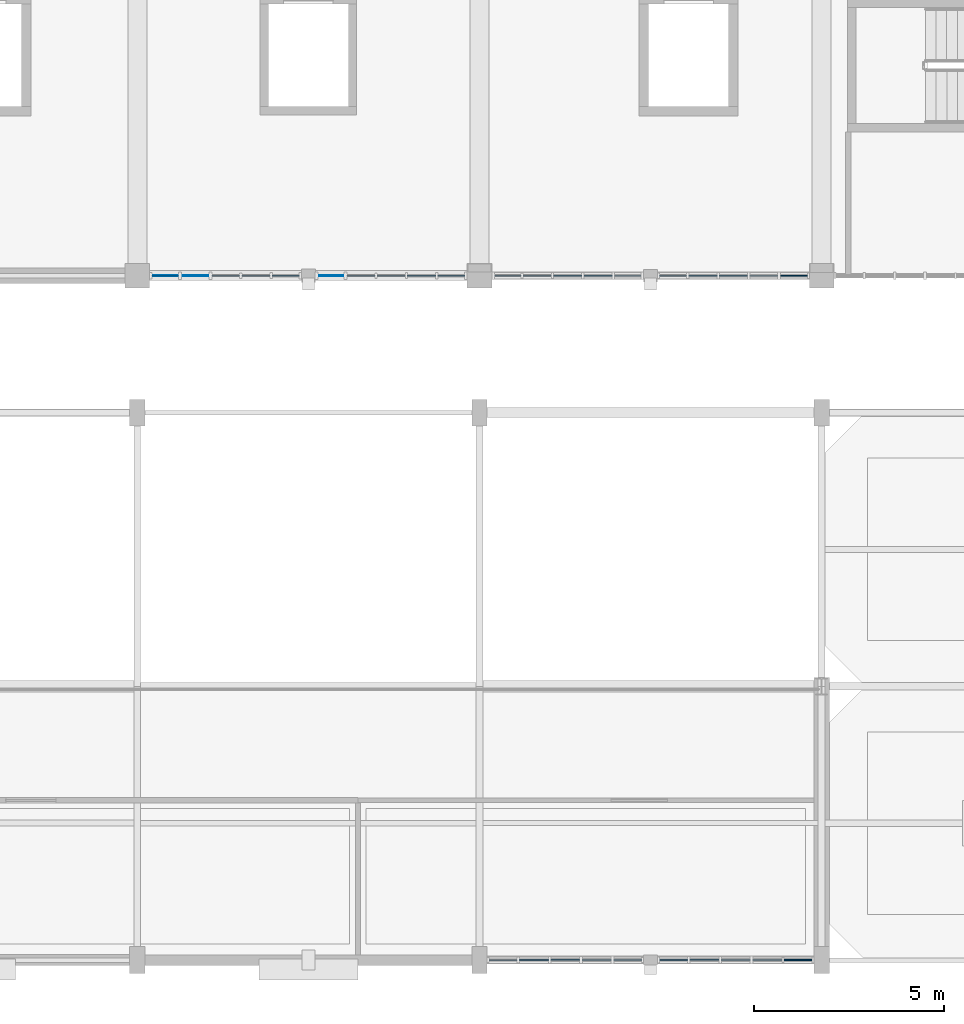
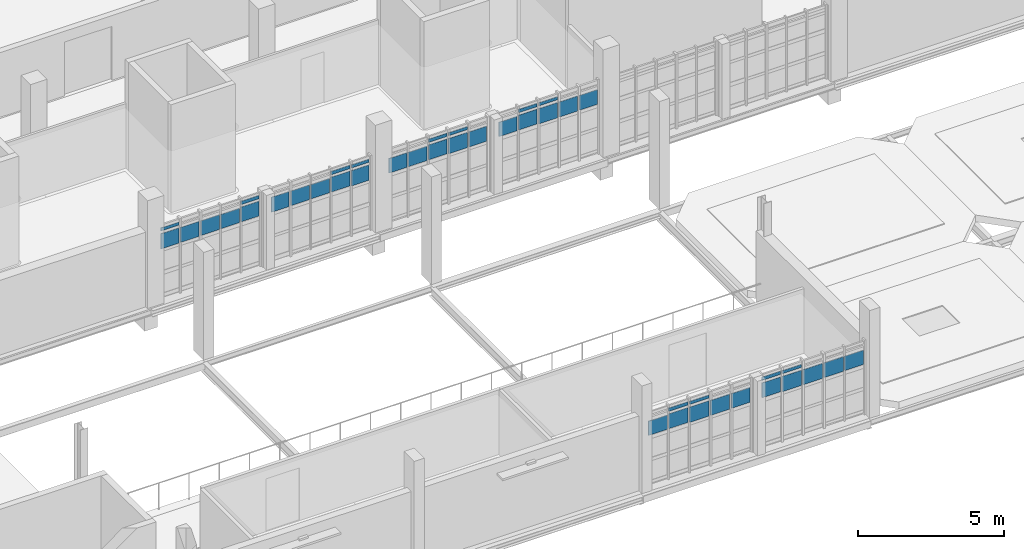
# One storey, part 96 of 125: 42 plates, 6 elements without a shape of their own.
"""IFC4 building model written with IfcOpenShell, lengths in metres."""

import ifcopenshell
import ifcopenshell.guid

model = None  # the IFC model being written
_history = None  # IfcOwnerHistory: only IFC2X3 demands one
_inside = {}  # id of a spatial element -> (the spatial element, [elements in it])
_under = {}  # id of a project, library or spatial element -> (it, [spatial elements below it])
_declared = {}  # id of a project -> (the project, [libraries it declares])
_typed = {}  # id of a type object -> (the type object, [elements of that type])
_made_of = {}  # id of a material, layer set ... -> (it, [elements and type objects made of it])


def new_model(schema):
    """Start an empty IFC model of exactly this schema.

    Asked for "IFC4X3", IfcOpenShell would pick the latest addendum, in which some entities
    have other attributes; the version numbers below select the first issue.
    IFC2X3 requires an IfcOwnerHistory on every rooted entity: one is made here for all.
    """
    global model, _history
    if schema == "IFC4X3":
        model = ifcopenshell.file(schema_version=(4, 3, 0, 0))
    else:
        model = ifcopenshell.file(schema=schema)
    _inside.clear()
    _under.clear()
    _declared.clear()
    _typed.clear()
    _made_of.clear()
    _history = None
    if model.schema == "IFC2X3":
        org = make("IfcOrganization", Name="unknown")
        user = make(
            "IfcPersonAndOrganization",
            ThePerson=make("IfcPerson", FamilyName="unknown"),
            TheOrganization=org,
        )
        app = make(
            "IfcApplication",
            ApplicationDeveloper=org,
            Version="unknown",
            ApplicationFullName="unknown",
            ApplicationIdentifier="unknown",
        )
        _history = make(
            "IfcOwnerHistory",
            OwningUser=user,
            OwningApplication=app,
            ChangeAction="ADDED",
            CreationDate=0,
        )
    return model


def make(cls, **values):
    """One entity of the class cls with the attributes given. An attribute that is None is left unset."""
    return model.create_entity(
        cls, **{name: value for name, value in values.items() if value is not None}
    )


def rooted(cls, **values):
    """An entity with a GlobalId (a new one), such as an element, a storey or a relation."""
    return make(cls, GlobalId=ifcopenshell.guid.new(), OwnerHistory=_history, **values)


def si_unit(unit_type, name, prefix=None):
    """IfcSIUnit, for example si_unit("LENGTHUNIT", "METRE", prefix="MILLI")."""
    return make("IfcSIUnit", UnitType=unit_type, Prefix=prefix, Name=name)


def assignment(units):
    """IfcUnitAssignment: the units of a project."""
    return None if units is None else make("IfcUnitAssignment", Units=units)


def point(xyz):
    """IfcCartesianPoint."""
    return None if xyz is None else make("IfcCartesianPoint", Coordinates=xyz)


def direction(xyz):
    """IfcDirection."""
    return None if xyz is None else make("IfcDirection", DirectionRatios=xyz)


def frame(location, z_axis=None, x_axis=None):
    """IfcAxis2Placement3D, a coordinate frame: its origin and axes. An axis left out is left unset."""
    return make(
        "IfcAxis2Placement3D",
        Location=point(location),
        Axis=direction(z_axis),
        RefDirection=direction(x_axis),
    )


def frame_2d(location, x_axis=None):
    """IfcAxis2Placement2D, a coordinate frame in the plane: its origin and x axis."""
    return make(
        "IfcAxis2Placement2D", Location=point(location), RefDirection=direction(x_axis)
    )


def origin():
    """The frame at (0, 0, 0) with its axes left unset."""
    return frame((0.0, 0.0, 0.0))


def origin_2d():
    """The frame at (0, 0) in the plane with its x axis left unset."""
    return frame_2d((0.0, 0.0))


def place(relative_to, where):
    """IfcLocalPlacement: puts the frame where relative to a parent placement (None: the world)."""
    return make(
        "IfcLocalPlacement", PlacementRelTo=relative_to, RelativePlacement=where
    )


def context(
    kind, dimensions, precision=None, world=None, true_north=None, identifier=None
):
    """IfcGeometricRepresentationContext, for example the 3D "Model" context."""
    return make(
        "IfcGeometricRepresentationContext",
        ContextIdentifier=identifier,
        ContextType=kind,
        CoordinateSpaceDimension=dimensions,
        Precision=precision,
        WorldCoordinateSystem=world,
        TrueNorth=true_north,
    )


def subcontext(parent, identifier, kind, view, scale=None):
    """IfcGeometricRepresentationSubContext, for example "Body" below "Model"."""
    return make(
        "IfcGeometricRepresentationSubContext",
        ContextIdentifier=identifier,
        ContextType=kind,
        ParentContext=parent,
        TargetScale=scale,
        TargetView=view,
    )


def project(units=None, contexts=None):
    """IfcProject with its units and contexts."""
    return rooted(
        "IfcProject",
        Name="project",
        RepresentationContexts=contexts,
        UnitsInContext=assignment(units),
    )


def spatial(cls, under=None, at=None, **own):
    """A site, building, storey or space (cls), placed at a placement, below another one or the project."""
    s = rooted(cls, ObjectPlacement=at, **own)
    if under is not None:
        _under.setdefault(under.id(), (under, []))[1].append(s)
    return s


def profile(cls, at=None, kind="AREA", **sizes):
    """A parametric profile (cls). Its sizes go by their IFC names, for example OverallWidth=200.0."""
    return make(cls, ProfileType=kind, Position=at, **sizes)


def rectangle(**sizes):
    """IfcRectangleProfileDef."""
    return profile("IfcRectangleProfileDef", **sizes)


def extrude(swept, where, along, depth):
    """IfcExtrudedAreaSolid: the profile swept, set in the frame where, extruded along a direction by depth."""
    return make(
        "IfcExtrudedAreaSolid",
        SweptArea=swept,
        Position=where,
        ExtrudedDirection=direction(along),
        Depth=depth,
    )


def shape(context_of_items, identifier, shape_type, items):
    """IfcShapeRepresentation: the items that make up one representation, for example the "Body"."""
    return make(
        "IfcShapeRepresentation",
        ContextOfItems=context_of_items,
        RepresentationIdentifier=identifier,
        RepresentationType=shape_type,
        Items=items,
    )


def material(Name=None, Category=None):
    """IfcMaterial."""
    return make("IfcMaterial", Name=Name, Category=Category)


def layer(
    of_material, thickness, ventilated=None, Name=None, Category=None, Priority=None
):
    """IfcMaterialLayer: one layer of a wall or slab, of a material (None: an air gap)."""
    return make(
        "IfcMaterialLayer",
        Material=of_material,
        LayerThickness=thickness,
        IsVentilated=ventilated,
        Name=Name,
        Category=Category,
        Priority=Priority,
    )


def layer_set(layers, Name=None):
    """IfcMaterialLayerSet."""
    return make("IfcMaterialLayerSet", MaterialLayers=layers, LayerSetName=Name)


def made_of(thing, what):
    """Note that an element or type object is made of a material, layer set ...; save() writes the relation."""
    if what is not None:
        _made_of.setdefault(what.id(), (what, []))[1].append(thing)
    return thing


def type_object(cls, material=None, **own):
    """A type object (cls), such as IfcWallType, which elements share."""
    return made_of(rooted(cls, **own), material)


def element(
    cls,
    number,
    at=None,
    inside=None,
    cuts=None,
    type_object=None,
    material=None,
    context=None,
    identifier="Body",
    shape_type=None,
    held_by="IfcProductDefinitionShape",
    body=None,
    shapes=None,
    **own,
):
    """One element of the class cls, such as IfcWall. Its Tag is "e" and its number.

    at: its placement. inside: the storey or other place that contains it. cuts: it is an
    opening in that element (IfcRelVoidsElement). A single representation is given by context,
    identifier, shape_type and body (its items); several are given by shapes. held_by: the class
    of the entity that holds the representations. save() writes the other relations.
    """
    e = rooted(cls, Tag="e%d" % number, ObjectPlacement=at, **own)
    if body is not None:
        shapes = [shape(context, identifier, shape_type, body)]
    if shapes is not None:
        e.Representation = make(held_by, Representations=shapes)
    if inside is not None:
        _inside.setdefault(inside.id(), (inside, []))[1].append(e)
    if cuts is not None:
        rooted(
            "IfcRelVoidsElement", RelatingBuildingElement=cuts, RelatedOpeningElement=e
        )
    if type_object is not None:
        _typed.setdefault(type_object.id(), (type_object, []))[1].append(e)
    return made_of(e, material)


def aggregate(whole, parts):
    """IfcRelAggregates: a whole, such as a stair, and the parts it consists of."""
    return rooted("IfcRelAggregates", RelatingObject=whole, RelatedObjects=parts)


def save(model, path):
    """Write the relations noted so far, then the file.

    IfcRelAggregates (storeys below a building ...), IfcRelContainedInSpatialStructure (elements
    in a storey), IfcRelDefinesByType, IfcRelAssociatesMaterial and IfcRelDeclares: one each for
    every whole, place, type object, material and project.
    """
    for whole, parts in _under.values():
        aggregate(whole, parts)
    for where, things in _inside.values():
        rooted(
            "IfcRelContainedInSpatialStructure",
            RelatedElements=things,
            RelatingStructure=where,
        )
    for kind, things in _typed.values():
        rooted("IfcRelDefinesByType", RelatedObjects=things, RelatingType=kind)
    for what, things in _made_of.values():
        rooted("IfcRelAssociatesMaterial", RelatedObjects=things, RelatingMaterial=what)
    for by, libraries in _declared.values():
        rooted("IfcRelDeclares", RelatingContext=by, RelatedDefinitions=libraries)
    model.write(path)


model = new_model("IFC4")

# Units and contexts
model_context = context("Model", 3, precision=1e-05, world=origin(), true_north=direction((0.0, 1.0)))
body_context = subcontext(model_context, "Body", "Model", "MODEL_VIEW")
ifc_project = project(units=[si_unit("LENGTHUNIT", "METRE"), si_unit("AREAUNIT", "SQUARE_METRE"), si_unit("VOLUMEUNIT", "CUBIC_METRE"), si_unit("PLANEANGLEUNIT", "RADIAN"), si_unit("MASSUNIT", "GRAM", prefix="KILO")], contexts=[model_context])

# Site, building, storey
site_placement = place(None, origin())
site = spatial("IfcSite", under=ifc_project, at=site_placement, CompositionType="ELEMENT")
building_placement = place(site_placement, origin())
building = spatial("IfcBuilding", under=site, at=building_placement, Name="Serraforn Aerial Cableway Station", CompositionType="ELEMENT")
storey_placement = place(building_placement, frame((0.0, 0.0, 4.5)))
storey = spatial("IfcBuildingStorey", under=building, at=storey_placement, Name="L01", CompositionType="ELEMENT", Elevation=4.5)

# Curtain wall, plates
ifc_material_1 = material(Name="Anodised bronze unitised curtain wall")
curtain_wall_type_1 = type_object("IfcCurtainWallType", Name="CW-SYS-21", PredefinedType="USERDEFINED", material=ifc_material_1)
curtain_wall_1_placement = place(storey_placement, origin())
curtain_wall_1 = element("IfcCurtainWall", 1, at=curtain_wall_1_placement, inside=storey, type_object=curtain_wall_type_1, Name="Unitised Curtain Wall CW-CV-L01-S3A", ObjectType="UNITISED CURTAIN WALL", PredefinedType="USERDEFINED")
ifc_material_2 = material(Name="Solar-control low-E double glazing", Category="glass")
ifc_layer_1 = layer(ifc_material_2, 0.02587890625)
ifc_layer_set_1 = layer_set([ifc_layer_1], Name="Solar-control low-E double glazing")
plate_type_1 = type_object("IfcPlateType", Name="CW-GLZ-1", PredefinedType="CURTAIN_PANEL", material=ifc_layer_set_1)
plate_1_placement = place(storey_placement, frame((46.337646484375, 18.0, 2.8037109375), z_axis=(0.0, 0.0, 1.0), x_axis=(1.0, 0.0, 0.0)))
plate_1 = element("IfcPlate", 2, at=plate_1_placement, type_object=plate_type_1, Name="Curtain Wall Panel CW-CV-L01-S3A-P1-4", PredefinedType="CURTAIN_PANEL", context=body_context, shape_type="SweptSolid", body=[
    extrude(rectangle(XDim=0.703369140625, YDim=0.02587890625, at=origin_2d()), origin(), (0.0, 0.0, 1.0), 0.126220703125),
])
plate_2_placement = place(storey_placement, frame((47.120849609375, 18.0, 2.0546875), z_axis=(0.0, 0.0, 1.0), x_axis=(1.0, 0.0, 0.0)))
plate_2 = element("IfcPlate", 3, at=plate_2_placement, type_object=plate_type_1, Name="Curtain Wall Panel CW-CV-L01-S3A-P2-3", PredefinedType="CURTAIN_PANEL", context=body_context, shape_type="SweptSolid", body=[
    extrude(rectangle(XDim=0.73095703125, YDim=0.02587890625, at=origin_2d()), origin(), (0.0, 0.0, 1.0), 0.625244140625),
])

# Curtain wall, plate
curtain_wall_type_2 = type_object("IfcCurtainWallType", Name="CW-SYS-22", PredefinedType="USERDEFINED", material=ifc_material_1)
curtain_wall_2_placement = place(storey_placement, origin())
curtain_wall_2 = element("IfcCurtainWall", 4, at=curtain_wall_2_placement, inside=storey, type_object=curtain_wall_type_2, Name="Unitised Curtain Wall CW-CV-L01-S3B", ObjectType="UNITISED CURTAIN WALL", PredefinedType="USERDEFINED")
plate_3_placement = place(storey_placement, frame((50.696044921875, 18.0, 2.0546875), z_axis=(0.0, 0.0, 1.0), x_axis=(1.0, 0.0, 0.0)))
plate_3 = element("IfcPlate", 5, at=plate_3_placement, type_object=plate_type_1, Name="Curtain Wall Panel CW-CV-L01-S3B-P1-3", PredefinedType="CURTAIN_PANEL", context=body_context, shape_type="SweptSolid", body=[
    extrude(rectangle(XDim=0.69580078125, YDim=0.02587890625, at=origin_2d()), origin(), (0.0, 0.0, 1.0), 0.625244140625),
])

curtain_wall_type_3 = type_object("IfcCurtainWallType", Name="CW-SYS-27", PredefinedType="USERDEFINED", material=ifc_material_1)
curtain_wall_3_placement = place(storey_placement, origin())
curtain_wall_3 = element("IfcCurtainWall", 6, at=curtain_wall_3_placement, inside=storey, type_object=curtain_wall_type_3, Name="Unitised Curtain Wall CW-CF-L01-S4A", ObjectType="UNITISED CURTAIN WALL", PredefinedType="USERDEFINED")
ifc_layer_2 = layer(ifc_material_2, 0.028076171875)
ifc_layer_set_2 = layer_set([ifc_layer_2], Name="Solar-control low-E double glazing")
plate_type_2 = type_object("IfcPlateType", Name="CW-GLZ-2", PredefinedType="CURTAIN_PANEL", material=ifc_layer_set_2)
plate_4_placement = place(storey_placement, frame((55.22265625, 0.0, 2.06982421875), z_axis=(0.0, 0.0, 1.0), x_axis=(1.0, 0.0, 0.0)))
plate_4 = element("IfcPlate", 7, at=plate_4_placement, type_object=plate_type_2, Name="Curtain Wall Panel CW-CF-L01-S4A-P1-3", PredefinedType="CURTAIN_PANEL", context=body_context, shape_type="SweptSolid", body=[
    extrude(rectangle(XDim=0.743408203125, YDim=0.028076171875, at=origin_2d()), origin(), (0.0, 0.0, 1.0), 0.59521484375),
])

# Plate
plate_5_placement = place(storey_placement, frame((47.926513671875, 18.0, 2.062255859375), z_axis=(0.0, 0.0, 1.0), x_axis=(1.0, 0.0, 0.0)))
plate_5 = element("IfcPlate", 8, at=plate_5_placement, type_object=plate_type_2, Name="Curtain Wall Panel CW-CV-L01-S3A-P3-3", PredefinedType="CURTAIN_PANEL", context=body_context, shape_type="SweptSolid", body=[
    extrude(rectangle(XDim=0.73828125, YDim=0.028076171875, at=origin_2d()), origin(), (0.0, 0.0, 1.0), 0.6103515625),
])

plate_6_placement = place(storey_placement, frame((51.484130859375, 18.0, 2.062255859375), z_axis=(0.0, 0.0, 1.0), x_axis=(1.0, 0.0, 0.0)))
plate_6 = element("IfcPlate", 9, at=plate_6_placement, type_object=plate_type_2, Name="Curtain Wall Panel CW-CV-L01-S3B-P2-3", PredefinedType="CURTAIN_PANEL", context=body_context, shape_type="SweptSolid", body=[
    extrude(rectangle(XDim=0.73828125, YDim=0.028076171875, at=origin_2d()), origin(), (0.0, 0.0, 1.0), 0.6103515625),
])

# Curtain wall, plate
curtain_wall_type_4 = type_object("IfcCurtainWallType", Name="CW-SYS-23", PredefinedType="USERDEFINED", material=ifc_material_1)
curtain_wall_4_placement = place(storey_placement, origin())
curtain_wall_4 = element("IfcCurtainWall", 10, at=curtain_wall_4_placement, inside=storey, type_object=curtain_wall_type_4, Name="Unitised Curtain Wall CW-CV-L01-S4A", ObjectType="UNITISED CURTAIN WALL", PredefinedType="USERDEFINED")
plate_7_placement = place(storey_placement, frame((55.346435546875, 18.0, 2.062255859375), z_axis=(0.0, 0.0, 1.0), x_axis=(1.0, 0.0, 0.0)))
plate_7 = element("IfcPlate", 11, at=plate_7_placement, type_object=plate_type_2, Name="Curtain Wall Panel CW-CV-L01-S4A-P1-3", PredefinedType="CURTAIN_PANEL", context=body_context, shape_type="SweptSolid", body=[
    extrude(rectangle(XDim=0.700927734375, YDim=0.028076171875, at=origin_2d()), origin(), (0.0, 0.0, 1.0), 0.6103515625),
])

# Plate
ifc_layer_3 = layer(ifc_material_2, 0.030029296875)
ifc_layer_set_3 = layer_set([ifc_layer_3], Name="Solar-control low-E double glazing")
plate_type_3 = type_object("IfcPlateType", Name="CW-GLZ-3", PredefinedType="CURTAIN_PANEL", material=ifc_layer_set_3)
plate_8_placement = place(storey_placement, frame((56.033203125, 0.0, 2.077392578125), z_axis=(0.0, 0.0, 1.0), x_axis=(1.0, 0.0, 0.0)))
plate_8 = element("IfcPlate", 12, at=plate_8_placement, type_object=plate_type_3, Name="Curtain Wall Panel CW-CF-L01-S4A-P2-3", PredefinedType="CURTAIN_PANEL", context=body_context, shape_type="SweptSolid", body=[
    extrude(rectangle(XDim=0.765869140625, YDim=0.030029296875, at=origin_2d()), origin(), (0.0, 0.0, 1.0), 0.615234375),
])

# Curtain wall, plate
curtain_wall_type_5 = type_object("IfcCurtainWallType", Name="CW-SYS-28", PredefinedType="USERDEFINED", material=ifc_material_1)
curtain_wall_5_placement = place(storey_placement, origin())
curtain_wall_5 = element("IfcCurtainWall", 13, at=curtain_wall_5_placement, inside=storey, type_object=curtain_wall_type_5, Name="Unitised Curtain Wall CW-CF-L01-S4B", ObjectType="UNITISED CURTAIN WALL", PredefinedType="USERDEFINED")
plate_9_placement = place(storey_placement, frame((59.7060546875, 0.0, 2.077392578125), z_axis=(0.0, 0.0, 1.0), x_axis=(1.0, 0.0, 0.0)))
plate_9 = element("IfcPlate", 14, at=plate_9_placement, type_object=plate_type_3, Name="Curtain Wall Panel CW-CF-L01-S4B-P1-3", PredefinedType="CURTAIN_PANEL", context=body_context, shape_type="SweptSolid", body=[
    extrude(rectangle(XDim=0.73583984375, YDim=0.030029296875, at=origin_2d()), origin(), (0.0, 0.0, 1.0), 0.615234375),
])

# Plate
plate_10_placement = place(storey_placement, frame((48.7197265625, 18.0, 2.06982421875), z_axis=(0.0, 0.0, 1.0), x_axis=(1.0, 0.0, 0.0)))
plate_10 = element("IfcPlate", 15, at=plate_10_placement, type_object=plate_type_3, Name="Curtain Wall Panel CW-CV-L01-S3A-P4-3", PredefinedType="CURTAIN_PANEL", context=body_context, shape_type="SweptSolid", body=[
    extrude(rectangle(XDim=0.745849609375, YDim=0.030029296875, at=origin_2d()), origin(), (0.0, 0.0, 1.0), 0.59521484375),
])

plate_11_placement = place(storey_placement, frame((52.27734375, 18.0, 2.06982421875), z_axis=(0.0, 0.0, 1.0), x_axis=(1.0, 0.0, 0.0)))
plate_11 = element("IfcPlate", 16, at=plate_11_placement, type_object=plate_type_3, Name="Curtain Wall Panel CW-CV-L01-S3B-P3-3", PredefinedType="CURTAIN_PANEL", context=body_context, shape_type="SweptSolid", body=[
    extrude(rectangle(XDim=0.745849609375, YDim=0.030029296875, at=origin_2d()), origin(), (0.0, 0.0, 1.0), 0.59521484375),
])

plate_12_placement = place(storey_placement, frame((56.120849609375, 18.0, 2.06982421875), z_axis=(0.0, 0.0, 1.0), x_axis=(1.0, 0.0, 0.0)))
plate_12 = element("IfcPlate", 17, at=plate_12_placement, type_object=plate_type_3, Name="Curtain Wall Panel CW-CV-L01-S4A-P2-3", PredefinedType="CURTAIN_PANEL", context=body_context, shape_type="SweptSolid", body=[
    extrude(rectangle(XDim=0.745849609375, YDim=0.030029296875, at=origin_2d()), origin(), (0.0, 0.0, 1.0), 0.59521484375),
])

# Curtain wall, plate
curtain_wall_type_6 = type_object("IfcCurtainWallType", Name="CW-SYS-24", PredefinedType="USERDEFINED", material=ifc_material_1)
curtain_wall_6_placement = place(storey_placement, origin())
curtain_wall_6 = element("IfcCurtainWall", 18, at=curtain_wall_6_placement, inside=storey, type_object=curtain_wall_type_6, Name="Unitised Curtain Wall CW-CV-L01-S4B", ObjectType="UNITISED CURTAIN WALL", PredefinedType="USERDEFINED")
plate_13_placement = place(storey_placement, frame((59.692138671875, 18.0, 2.06982421875), z_axis=(0.0, 0.0, 1.0), x_axis=(1.0, 0.0, 0.0)))
plate_13 = element("IfcPlate", 19, at=plate_13_placement, type_object=plate_type_3, Name="Curtain Wall Panel CW-CV-L01-S4B-P1-3", PredefinedType="CURTAIN_PANEL", context=body_context, shape_type="SweptSolid", body=[
    extrude(rectangle(XDim=0.718505859375, YDim=0.030029296875, at=origin_2d()), origin(), (0.0, 0.0, 1.0), 0.59521484375),
])

# Plate
ifc_layer_4 = layer(ifc_material_2, 0.031982421875)
ifc_layer_set_4 = layer_set([ifc_layer_4], Name="Solar-control low-E double glazing")
plate_type_4 = type_object("IfcPlateType", Name="CW-GLZ-4", PredefinedType="CURTAIN_PANEL", material=ifc_layer_set_4)
plate_14_placement = place(storey_placement, frame((56.033203125, 0.0, 2.798583984375), z_axis=(0.0, 0.0, 1.0), x_axis=(1.0, 0.0, 0.0)))
plate_14 = element("IfcPlate", 20, at=plate_14_placement, type_object=plate_type_4, Name="Curtain Wall Panel CW-CF-L01-S4A-P2-4", PredefinedType="CURTAIN_PANEL", context=body_context, shape_type="SweptSolid", body=[
    extrude(rectangle(XDim=0.765869140625, YDim=0.031982421875, at=origin_2d()), origin(), (0.0, 0.0, 1.0), 0.138671875),
])

plate_15_placement = place(storey_placement, frame((56.85791015625, 0.0, 2.0498046875), z_axis=(0.0, 0.0, 1.0), x_axis=(1.0, 0.0, 0.0)))
plate_15 = element("IfcPlate", 21, at=plate_15_placement, type_object=plate_type_4, Name="Curtain Wall Panel CW-CF-L01-S4A-P3-3", PredefinedType="CURTAIN_PANEL", context=body_context, shape_type="SweptSolid", body=[
    extrude(rectangle(XDim=0.760986328125, YDim=0.031982421875, at=origin_2d()), origin(), (0.0, 0.0, 1.0), 0.6376953125),
])

plate_16_placement = place(storey_placement, frame((59.7060546875, 0.0, 2.798583984375), z_axis=(0.0, 0.0, 1.0), x_axis=(1.0, 0.0, 0.0)))
plate_16 = element("IfcPlate", 22, at=plate_16_placement, type_object=plate_type_4, Name="Curtain Wall Panel CW-CF-L01-S4B-P1-4", PredefinedType="CURTAIN_PANEL", context=body_context, shape_type="SweptSolid", body=[
    extrude(rectangle(XDim=0.73583984375, YDim=0.031982421875, at=origin_2d()), origin(), (0.0, 0.0, 1.0), 0.138671875),
])

plate_17_placement = place(storey_placement, frame((60.515380859375, 0.0, 2.0498046875), z_axis=(0.0, 0.0, 1.0), x_axis=(1.0, 0.0, 0.0)))
plate_17 = element("IfcPlate", 23, at=plate_17_placement, type_object=plate_type_4, Name="Curtain Wall Panel CW-CF-L01-S4B-P2-3", PredefinedType="CURTAIN_PANEL", context=body_context, shape_type="SweptSolid", body=[
    extrude(rectangle(XDim=0.760986328125, YDim=0.031982421875, at=origin_2d()), origin(), (0.0, 0.0, 1.0), 0.6376953125),
])

plate_18_placement = place(storey_placement, frame((49.502685546875, 18.0, 2.077392578125), z_axis=(0.0, 0.0, 1.0), x_axis=(1.0, 0.0, 0.0)))
plate_18 = element("IfcPlate", 24, at=plate_18_placement, type_object=plate_type_4, Name="Curtain Wall Panel CW-CV-L01-S3A-P5-3", PredefinedType="CURTAIN_PANEL", context=body_context, shape_type="SweptSolid", body=[
    extrude(rectangle(XDim=0.70849609375, YDim=0.031982421875, at=origin_2d()), origin(), (0.0, 0.0, 1.0), 0.615234375),
])

plate_19_placement = place(storey_placement, frame((53.07666015625, 18.0, 2.077392578125), z_axis=(0.0, 0.0, 1.0), x_axis=(1.0, 0.0, 0.0)))
plate_19 = element("IfcPlate", 25, at=plate_19_placement, type_object=plate_type_4, Name="Curtain Wall Panel CW-CV-L01-S3B-P4-3", PredefinedType="CURTAIN_PANEL", context=body_context, shape_type="SweptSolid", body=[
    extrude(rectangle(XDim=0.740966796875, YDim=0.031982421875, at=origin_2d()), origin(), (0.0, 0.0, 1.0), 0.615234375),
])

plate_20_placement = place(storey_placement, frame((56.92041015625, 18.0, 2.077392578125), z_axis=(0.0, 0.0, 1.0), x_axis=(1.0, 0.0, 0.0)))
plate_20 = element("IfcPlate", 26, at=plate_20_placement, type_object=plate_type_4, Name="Curtain Wall Panel CW-CV-L01-S4A-P3-3", PredefinedType="CURTAIN_PANEL", context=body_context, shape_type="SweptSolid", body=[
    extrude(rectangle(XDim=0.740966796875, YDim=0.031982421875, at=origin_2d()), origin(), (0.0, 0.0, 1.0), 0.615234375),
])

plate_21_placement = place(storey_placement, frame((60.477783203125, 18.0, 2.077392578125), z_axis=(0.0, 0.0, 1.0), x_axis=(1.0, 0.0, 0.0)))
plate_21 = element("IfcPlate", 27, at=plate_21_placement, type_object=plate_type_4, Name="Curtain Wall Panel CW-CV-L01-S4B-P2-3", PredefinedType="CURTAIN_PANEL", context=body_context, shape_type="SweptSolid", body=[
    extrude(rectangle(XDim=0.740966796875, YDim=0.031982421875, at=origin_2d()), origin(), (0.0, 0.0, 1.0), 0.615234375),
])

ifc_layer_5 = layer(ifc_material_2, 0.033935546875)
ifc_layer_set_5 = layer_set([ifc_layer_5], Name="Solar-control low-E double glazing")
plate_type_5 = type_object("IfcPlateType", Name="CW-GLZ-5", PredefinedType="CURTAIN_PANEL", material=ifc_layer_set_5)
plate_22_placement = place(storey_placement, frame((56.85791015625, 0.0, 2.8037109375), z_axis=(0.0, 0.0, 1.0), x_axis=(1.0, 0.0, 0.0)))
plate_22 = element("IfcPlate", 28, at=plate_22_placement, type_object=plate_type_5, Name="Curtain Wall Panel CW-CF-L01-S4A-P3-4", PredefinedType="CURTAIN_PANEL", context=body_context, shape_type="SweptSolid", body=[
    extrude(rectangle(XDim=0.760986328125, YDim=0.033935546875, at=origin_2d()), origin(), (0.0, 0.0, 1.0), 0.126220703125),
])

plate_23_placement = place(storey_placement, frame((57.68212890625, 0.0, 2.0546875), z_axis=(0.0, 0.0, 1.0), x_axis=(1.0, 0.0, 0.0)))
plate_23 = element("IfcPlate", 29, at=plate_23_placement, type_object=plate_type_5, Name="Curtain Wall Panel CW-CF-L01-S4A-P4-3", PredefinedType="CURTAIN_PANEL", context=body_context, shape_type="SweptSolid", body=[
    extrude(rectangle(XDim=0.755859375, YDim=0.033935546875, at=origin_2d()), origin(), (0.0, 0.0, 1.0), 0.625244140625),
])

plate_24_placement = place(storey_placement, frame((60.515380859375, 0.0, 2.8037109375), z_axis=(0.0, 0.0, 1.0), x_axis=(1.0, 0.0, 0.0)))
plate_24 = element("IfcPlate", 30, at=plate_24_placement, type_object=plate_type_5, Name="Curtain Wall Panel CW-CF-L01-S4B-P2-4", PredefinedType="CURTAIN_PANEL", context=body_context, shape_type="SweptSolid", body=[
    extrude(rectangle(XDim=0.760986328125, YDim=0.033935546875, at=origin_2d()), origin(), (0.0, 0.0, 1.0), 0.126220703125),
])

plate_25_placement = place(storey_placement, frame((61.33984375, 0.0, 2.0546875), z_axis=(0.0, 0.0, 1.0), x_axis=(1.0, 0.0, 0.0)))
plate_25 = element("IfcPlate", 31, at=plate_25_placement, type_object=plate_type_5, Name="Curtain Wall Panel CW-CF-L01-S4B-P3-3", PredefinedType="CURTAIN_PANEL", context=body_context, shape_type="SweptSolid", body=[
    extrude(rectangle(XDim=0.755859375, YDim=0.033935546875, at=origin_2d()), origin(), (0.0, 0.0, 1.0), 0.625244140625),
])

plate_26_placement = place(storey_placement, frame((49.502685546875, 18.0, 2.798583984375), z_axis=(0.0, 0.0, 1.0), x_axis=(1.0, 0.0, 0.0)))
plate_26 = element("IfcPlate", 32, at=plate_26_placement, type_object=plate_type_5, Name="Curtain Wall Panel CW-CV-L01-S3A-P5-4", PredefinedType="CURTAIN_PANEL", context=body_context, shape_type="SweptSolid", body=[
    extrude(rectangle(XDim=0.70849609375, YDim=0.033935546875, at=origin_2d()), origin(), (0.0, 0.0, 1.0), 0.138671875),
])

plate_27_placement = place(storey_placement, frame((53.07666015625, 18.0, 2.798583984375), z_axis=(0.0, 0.0, 1.0), x_axis=(1.0, 0.0, 0.0)))
plate_27 = element("IfcPlate", 33, at=plate_27_placement, type_object=plate_type_5, Name="Curtain Wall Panel CW-CV-L01-S3B-P4-4", PredefinedType="CURTAIN_PANEL", context=body_context, shape_type="SweptSolid", body=[
    extrude(rectangle(XDim=0.740966796875, YDim=0.033935546875, at=origin_2d()), origin(), (0.0, 0.0, 1.0), 0.138671875),
])

plate_28_placement = place(storey_placement, frame((53.858642578125, 18.0, 2.0498046875), z_axis=(0.0, 0.0, 1.0), x_axis=(1.0, 0.0, 0.0)))
plate_28 = element("IfcPlate", 34, at=plate_28_placement, type_object=plate_type_5, Name="Curtain Wall Panel CW-CV-L01-S3B-P5-3", PredefinedType="CURTAIN_PANEL", context=body_context, shape_type="SweptSolid", body=[
    extrude(rectangle(XDim=0.700927734375, YDim=0.033935546875, at=origin_2d()), origin(), (0.0, 0.0, 1.0), 0.6376953125),
])

plate_29_placement = place(storey_placement, frame((56.92041015625, 18.0, 2.798583984375), z_axis=(0.0, 0.0, 1.0), x_axis=(1.0, 0.0, 0.0)))
plate_29 = element("IfcPlate", 35, at=plate_29_placement, type_object=plate_type_5, Name="Curtain Wall Panel CW-CV-L01-S4A-P3-4", PredefinedType="CURTAIN_PANEL", context=body_context, shape_type="SweptSolid", body=[
    extrude(rectangle(XDim=0.740966796875, YDim=0.033935546875, at=origin_2d()), origin(), (0.0, 0.0, 1.0), 0.138671875),
])

plate_30_placement = place(storey_placement, frame((57.7197265625, 18.0, 2.0498046875), z_axis=(0.0, 0.0, 1.0), x_axis=(1.0, 0.0, 0.0)))
plate_30 = element("IfcPlate", 36, at=plate_30_placement, type_object=plate_type_5, Name="Curtain Wall Panel CW-CV-L01-S4A-P4-3", PredefinedType="CURTAIN_PANEL", context=body_context, shape_type="SweptSolid", body=[
    extrude(rectangle(XDim=0.73583984375, YDim=0.033935546875, at=origin_2d()), origin(), (0.0, 0.0, 1.0), 0.6376953125),
])

plate_31_placement = place(storey_placement, frame((60.477783203125, 18.0, 2.798583984375), z_axis=(0.0, 0.0, 1.0), x_axis=(1.0, 0.0, 0.0)))
plate_31 = element("IfcPlate", 37, at=plate_31_placement, type_object=plate_type_5, Name="Curtain Wall Panel CW-CV-L01-S4B-P2-4", PredefinedType="CURTAIN_PANEL", context=body_context, shape_type="SweptSolid", body=[
    extrude(rectangle(XDim=0.740966796875, YDim=0.033935546875, at=origin_2d()), origin(), (0.0, 0.0, 1.0), 0.138671875),
])

plate_32_placement = place(storey_placement, frame((61.27734375, 18.0, 2.0498046875), z_axis=(0.0, 0.0, 1.0), x_axis=(1.0, 0.0, 0.0)))
plate_32 = element("IfcPlate", 38, at=plate_32_placement, type_object=plate_type_5, Name="Curtain Wall Panel CW-CV-L01-S4B-P3-3", PredefinedType="CURTAIN_PANEL", context=body_context, shape_type="SweptSolid", body=[
    extrude(rectangle(XDim=0.73583984375, YDim=0.033935546875, at=origin_2d()), origin(), (0.0, 0.0, 1.0), 0.6376953125),
])

ifc_layer_6 = layer(ifc_material_2, 0.035888671875)
ifc_layer_set_6 = layer_set([ifc_layer_6], Name="Solar-control low-E double glazing")
plate_type_6 = type_object("IfcPlateType", Name="CW-GLZ-6", PredefinedType="CURTAIN_PANEL", material=ifc_layer_set_6)
plate_33_placement = place(storey_placement, frame((58.4990234375, 0.0, 2.062255859375), z_axis=(0.0, 0.0, 1.0), x_axis=(1.0, 0.0, 0.0)))
plate_33 = element("IfcPlate", 39, at=plate_33_placement, type_object=plate_type_6, Name="Curtain Wall Panel CW-CF-L01-S4A-P5-3", PredefinedType="CURTAIN_PANEL", context=body_context, shape_type="SweptSolid", body=[
    extrude(rectangle(XDim=0.73583984375, YDim=0.035888671875, at=origin_2d()), origin(), (0.0, 0.0, 1.0), 0.6103515625),
])

aggregate(curtain_wall_3, [plate_4, plate_8, plate_14, plate_15, plate_22, plate_23, plate_33])

plate_34_placement = place(storey_placement, frame((62.17041015625, 0.0, 2.062255859375), z_axis=(0.0, 0.0, 1.0), x_axis=(1.0, 0.0, 0.0)))
plate_34 = element("IfcPlate", 40, at=plate_34_placement, type_object=plate_type_6, Name="Curtain Wall Panel CW-CF-L01-S4B-P4-3", PredefinedType="CURTAIN_PANEL", context=body_context, shape_type="SweptSolid", body=[
    extrude(rectangle(XDim=0.763427734375, YDim=0.035888671875, at=origin_2d()), origin(), (0.0, 0.0, 1.0), 0.6103515625),
])

plate_35_placement = place(storey_placement, frame((53.858642578125, 18.0, 2.8037109375), z_axis=(0.0, 0.0, 1.0), x_axis=(1.0, 0.0, 0.0)))
plate_35 = element("IfcPlate", 41, at=plate_35_placement, type_object=plate_type_6, Name="Curtain Wall Panel CW-CV-L01-S3B-P5-4", PredefinedType="CURTAIN_PANEL", context=body_context, shape_type="SweptSolid", body=[
    extrude(rectangle(XDim=0.700927734375, YDim=0.035888671875, at=origin_2d()), origin(), (0.0, 0.0, 1.0), 0.126220703125),
])

aggregate(curtain_wall_2, [plate_3, plate_6, plate_11, plate_19, plate_27, plate_28, plate_35])

plate_36_placement = place(storey_placement, frame((57.7197265625, 18.0, 2.8037109375), z_axis=(0.0, 0.0, 1.0), x_axis=(1.0, 0.0, 0.0)))
plate_36 = element("IfcPlate", 42, at=plate_36_placement, type_object=plate_type_6, Name="Curtain Wall Panel CW-CV-L01-S4A-P4-4", PredefinedType="CURTAIN_PANEL", context=body_context, shape_type="SweptSolid", body=[
    extrude(rectangle(XDim=0.73583984375, YDim=0.035888671875, at=origin_2d()), origin(), (0.0, 0.0, 1.0), 0.126220703125),
])

plate_37_placement = place(storey_placement, frame((58.500244140625, 18.0, 2.0546875), z_axis=(0.0, 0.0, 1.0), x_axis=(1.0, 0.0, 0.0)))
plate_37 = element("IfcPlate", 43, at=plate_37_placement, type_object=plate_type_6, Name="Curtain Wall Panel CW-CV-L01-S4A-P5-3", PredefinedType="CURTAIN_PANEL", context=body_context, shape_type="SweptSolid", body=[
    extrude(rectangle(XDim=0.693359375, YDim=0.035888671875, at=origin_2d()), origin(), (0.0, 0.0, 1.0), 0.625244140625),
])

aggregate(curtain_wall_4, [plate_7, plate_12, plate_20, plate_29, plate_30, plate_36, plate_37])

plate_38_placement = place(storey_placement, frame((61.27734375, 18.0, 2.8037109375), z_axis=(0.0, 0.0, 1.0), x_axis=(1.0, 0.0, 0.0)))
plate_38 = element("IfcPlate", 44, at=plate_38_placement, type_object=plate_type_6, Name="Curtain Wall Panel CW-CV-L01-S4B-P3-4", PredefinedType="CURTAIN_PANEL", context=body_context, shape_type="SweptSolid", body=[
    extrude(rectangle(XDim=0.73583984375, YDim=0.035888671875, at=origin_2d()), origin(), (0.0, 0.0, 1.0), 0.126220703125),
])

plate_39_placement = place(storey_placement, frame((62.07666015625, 18.0, 2.0546875), z_axis=(0.0, 0.0, 1.0), x_axis=(1.0, 0.0, 0.0)))
plate_39 = element("IfcPlate", 45, at=plate_39_placement, type_object=plate_type_6, Name="Curtain Wall Panel CW-CV-L01-S4B-P4-3", PredefinedType="CURTAIN_PANEL", context=body_context, shape_type="SweptSolid", body=[
    extrude(rectangle(XDim=0.73095703125, YDim=0.035888671875, at=origin_2d()), origin(), (0.0, 0.0, 1.0), 0.625244140625),
])

ifc_layer_7 = layer(ifc_material_2, 0.029052734375)
ifc_layer_set_7 = layer_set([ifc_layer_7], Name="Solar-control low-E double glazing")
plate_type_7 = type_object("IfcPlateType", Name="CW-GLZ-7", PredefinedType="CURTAIN_PANEL", material=ifc_layer_set_7)
plate_40_placement = place(storey_placement, frame((62.9736328125, 0.0, 2.06982421875), z_axis=(0.0, 0.0, 1.0), x_axis=(1.0, 0.0, 0.0)))
plate_40 = element("IfcPlate", 46, at=plate_40_placement, type_object=plate_type_7, Name="Curtain Wall Panel CW-CF-L01-S4B-P5-3", PredefinedType="CURTAIN_PANEL", context=body_context, shape_type="SweptSolid", body=[
    extrude(rectangle(XDim=0.740966796875, YDim=0.029052734375, at=origin_2d()), origin(), (0.0, 0.0, 1.0), 0.59521484375),
])

aggregate(curtain_wall_5, [plate_9, plate_16, plate_17, plate_24, plate_25, plate_34, plate_40])

plate_41_placement = place(storey_placement, frame((62.868408203125, 18.0, 2.062255859375), z_axis=(0.0, 0.0, 1.0), x_axis=(1.0, 0.0, 0.0)))
plate_41 = element("IfcPlate", 47, at=plate_41_placement, type_object=plate_type_7, Name="Curtain Wall Panel CW-CV-L01-S4B-P5-3", PredefinedType="CURTAIN_PANEL", context=body_context, shape_type="SweptSolid", body=[
    extrude(rectangle(XDim=0.7109375, YDim=0.029052734375, at=origin_2d()), origin(), (0.0, 0.0, 1.0), 0.6103515625),
])

aggregate(curtain_wall_6, [plate_13, plate_21, plate_31, plate_32, plate_38, plate_39, plate_41])

ifc_layer_8 = layer(ifc_material_2, 0.031005859375)
ifc_layer_set_8 = layer_set([ifc_layer_8], Name="Solar-control low-E double glazing")
plate_type_8 = type_object("IfcPlateType", Name="CW-GLZ-8", PredefinedType="CURTAIN_PANEL", material=ifc_layer_set_8)
plate_42_placement = place(storey_placement, frame((46.337646484375, 18.0, 2.0498046875), z_axis=(0.0, 0.0, 1.0), x_axis=(1.0, 0.0, 0.0)))
plate_42 = element("IfcPlate", 48, at=plate_42_placement, type_object=plate_type_8, Name="Curtain Wall Panel CW-CV-L01-S3A-P1-3", PredefinedType="CURTAIN_PANEL", context=body_context, shape_type="SweptSolid", body=[
    extrude(rectangle(XDim=0.703369140625, YDim=0.031005859375, at=origin_2d()), origin(), (0.0, 0.0, 1.0), 0.6376953125),
])

aggregate(curtain_wall_1, [plate_42, plate_1, plate_2, plate_5, plate_10, plate_18, plate_26])

save(model, "model.ifc")
